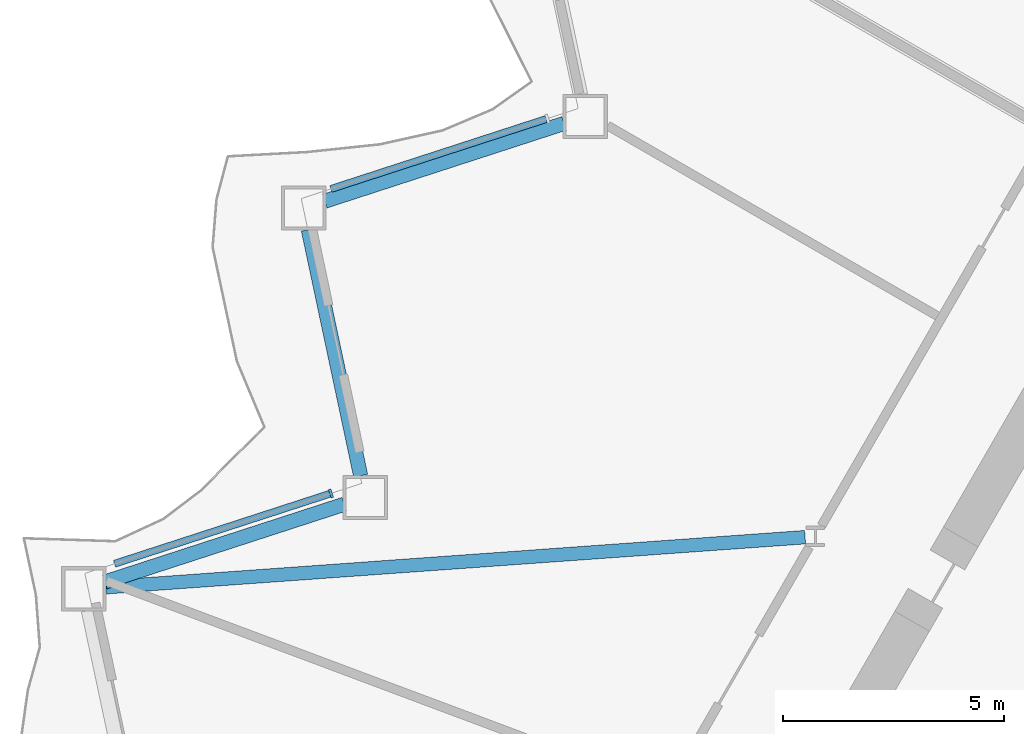
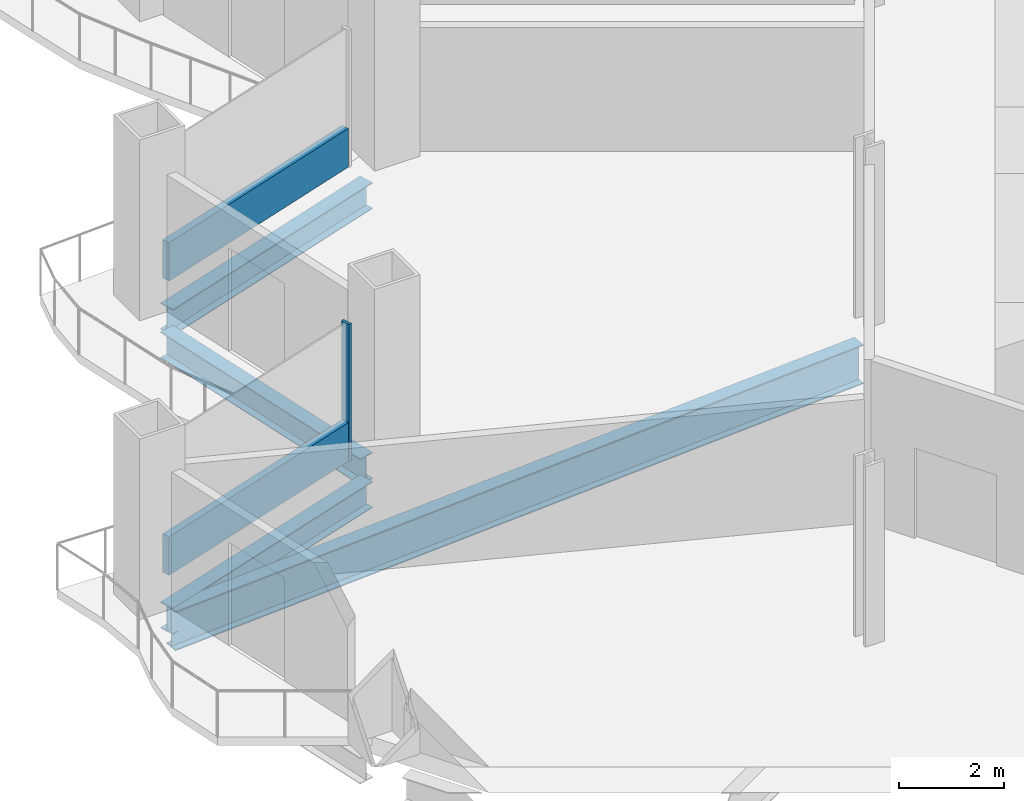
# One storey, part 3 of 20: 4 beams, 3 members, 2 elements without a shape of their own.
"""IFC4 building model written with IfcOpenShell, lengths in metres."""

from ifc_helpers import new_model, si_unit, direction, frame, origin, origin_2d, place, context, subcontext, project, spatial, rectangle, i_section, extrude, material, layer, layer_set, material_profile, profile_set, type_object, element, aggregate, save


model = new_model("IFC4")

# Units and contexts
model_context = context("Model", 3, precision=1e-05, world=origin(), true_north=direction((0.0, 1.0)))
body_context = subcontext(model_context, "Body", "Model", "MODEL_VIEW")
ifc_project = project(units=[si_unit("LENGTHUNIT", "METRE"), si_unit("AREAUNIT", "SQUARE_METRE"), si_unit("VOLUMEUNIT", "CUBIC_METRE"), si_unit("PLANEANGLEUNIT", "RADIAN"), si_unit("MASSUNIT", "GRAM", prefix="KILO")], contexts=[model_context])

# Site, building, storey
site_placement = place(None, origin())
site = spatial("IfcSite", under=ifc_project, at=site_placement, CompositionType="ELEMENT")
building_placement = place(site_placement, origin())
building = spatial("IfcBuilding", under=site, at=building_placement, Name="Cormorant Prow Tower", CompositionType="ELEMENT")
storey_placement = place(building_placement, frame((0.0, 0.0, 55.199951171875)))
storey = spatial("IfcBuildingStorey", under=building, at=storey_placement, Name="L11", CompositionType="ELEMENT", Elevation=55.199951171875)

# Curtain wall, member
ifc_material_1 = material(Name="Aluminium 6063-T6", Category="aluminium")
ifc_layer = layer(ifc_material_1, 0.199951171875)
ifc_layer_set = layer_set([ifc_layer], Name="Aluminium 6063-T6")
curtain_wall_type = type_object("IfcCurtainWallType", Name="Office unitised curtain wall 200", PredefinedType="NOTDEFINED", material=ifc_layer_set)
curtain_wall_1_placement = place(storey_placement, origin())
curtain_wall_1 = element("IfcCurtainWall", 1, at=curtain_wall_1_placement, inside=storey, type_object=curtain_wall_type, Name="Office curtain wall WNW08", PredefinedType="NOTDEFINED")
ifc_material_2 = material(Name="Aluminium 6063-T6", Category="aluminium")
ifc_material_profile_1 = material_profile(ifc_material_2, rectangle(XDim=0.199951171875, YDim=0.06005859375, at=origin_2d()), Name="Office mullion 60x200")
ifc_profile_set_1 = profile_set([ifc_material_profile_1], Name="Aluminium 6063-T6")
member_type_1 = type_object("IfcMemberType", Name="Office mullion 60x200", PredefinedType="MULLION", material=ifc_profile_set_1)
member_1_placement = place(storey_placement, frame((-26.809326171875, -2.082275390625, 0.0), z_axis=(0.0, 0.0, 1.0), x_axis=(0.309016941988, -0.951056533317, 0.0)))
member_1 = element("IfcMember", 2, at=member_1_placement, type_object=member_type_1, Name="Office mullion WNW08", PredefinedType="MULLION", context=body_context, shape_type="SweptSolid", body=[
    extrude(rectangle(XDim=0.199951171875, YDim=0.06005859375, at=origin_2d()), origin(), (0.0, 0.0, 1.0), 3.18896484375),
])

curtain_wall_2_placement = place(storey_placement, origin())
curtain_wall_2 = element("IfcCurtainWall", 3, at=curtain_wall_2_placement, inside=storey, type_object=curtain_wall_type, Name="Office curtain wall WNW06", PredefinedType="NOTDEFINED")
ifc_material_3 = material(Name="Terracotta", Category="masonry")
ifc_material_profile_2 = material_profile(ifc_material_3, rectangle(XDim=0.159912109375, YDim=0.89990234375, at=origin_2d()), Name="Office terracotta spandrel rail 160x900")
ifc_profile_set_2 = profile_set([ifc_material_profile_2], Name="Terracotta")
member_type_2 = type_object("IfcMemberType", Name="Office terracotta spandrel rail 160x900", PredefinedType="USERDEFINED", material=ifc_profile_set_2)
member_2_placement = place(storey_placement, frame((-21.9501953125, 6.374267578125, 0.449951171875), z_axis=(-0.95105863824, -0.309010463625, 0.0), x_axis=(0.309010463625, -0.95105863824, 0.0)))
member_2 = element("IfcMember", 4, at=member_2_placement, type_object=member_type_2, Name="Office spandrel rail WNW06", ObjectType="TRANSOM", PredefinedType="USERDEFINED", context=body_context, shape_type="SweptSolid", body=[
    extrude(rectangle(XDim=0.159912109375, YDim=0.89990234375, at=origin_2d()), origin(), (0.0, 0.0, 1.0), 5.111083984375),
])
aggregate(curtain_wall_2, [member_2])

# Member
member_3_placement = place(storey_placement, frame((-26.837890625, -2.091552734375, 0.449951171875), z_axis=(-0.951049161233, -0.309039630012, 0.0), x_axis=(0.309039630012, -0.951049161233, 0.0)))
member_3 = element("IfcMember", 5, at=member_3_placement, type_object=member_type_2, Name="Office spandrel rail WNW08", ObjectType="TRANSOM", PredefinedType="USERDEFINED", context=body_context, shape_type="SweptSolid", body=[
    extrude(rectangle(XDim=0.159912109375, YDim=0.89990234375, at=origin_2d()), origin(), (0.0, 0.0, 1.0), 5.111328125),
])

aggregate(curtain_wall_1, [member_1, member_3])

# Beams
ifc_material_4 = material(Name="Structural steel ASTM A992 Gr 50", Category="steel")
ifc_material_profile_3 = material_profile(ifc_material_4, i_section(OverallWidth=0.3046875, OverallDepth=0.914794921875, WebThickness=0.0166015625, FlangeThickness=0.02587890625, at=origin_2d()), Name="W36x160")
ifc_profile_set_3 = profile_set([ifc_material_profile_3], Name="Structural steel ASTM A992 Gr 50")
beam_type_1 = type_object("IfcBeamType", Name="Radial floor beam W36x160", PredefinedType="BEAM", material=ifc_profile_set_3)
beam_1_placement = place(storey_placement, frame((-16.099365234375, -3.0703125, -0.857421875), z_axis=(-0.997443412532, -0.071460750045, 0.0), x_axis=(0.071460750045, -0.997443412532, 0.0)))
element("IfcBeam", 6, at=beam_1_placement, inside=storey, type_object=beam_type_1, Name="Radial floor beam FB1 4 L11", PredefinedType="BEAM", context=body_context, shape_type="SweptSolid", body=[
    extrude(i_section(OverallWidth=0.3046875, OverallDepth=0.914794921875, WebThickness=0.0166015625, FlangeThickness=0.02587890625, at=origin_2d()), origin(), (0.0, 0.0, 1.0), 15.831787109375),
])
ifc_material_5 = material(Name="Structural steel ASTM A992 Gr 50", Category="steel")
ifc_material_profile_4 = material_profile(ifc_material_5, i_section(OverallWidth=0.32373046875, OverallDepth=0.611083984375, WebThickness=0.0126953125, FlangeThickness=0.01904296875, at=origin_2d()), Name="W24x104")
ifc_profile_set_4 = profile_set([ifc_material_profile_4], Name="Structural steel ASTM A992 Gr 50")
beam_type_2 = type_object("IfcBeamType", Name="Spandrel beam W24x104", PredefinedType="SPANDREL", material=ifc_profile_set_4)
beam_2_placement = place(storey_placement, frame((-21.54345703125, 6.274658203125, -0.70556640625), z_axis=(-0.951061849722, -0.309000579292, 0.0), x_axis=(0.309000579292, -0.951061849722, 0.0)))
element("IfcBeam", 7, at=beam_2_placement, inside=storey, type_object=beam_type_2, Name="Spandrel beam SB1 WNW06-WNW07 L11", PredefinedType="SPANDREL", context=body_context, shape_type="SweptSolid", body=[
    extrude(i_section(OverallWidth=0.32373046875, OverallDepth=0.611083984375, WebThickness=0.0126953125, FlangeThickness=0.01904296875, at=origin_2d()), origin(), (0.0, 0.0, 1.0), 5.682373046875),
])
beam_3_placement = place(storey_placement, frame((-27.3193359375, 3.875244140625, -0.70556640625), z_axis=(0.207900376723, -0.97815000555, 0.0), x_axis=(0.97815000555, 0.207900376723, 0.0)))
element("IfcBeam", 8, at=beam_3_placement, inside=storey, type_object=beam_type_2, Name="Spandrel beam SB1 WNW07-WNW08 L11", PredefinedType="SPANDREL", context=body_context, shape_type="SweptSolid", body=[
    extrude(i_section(OverallWidth=0.32373046875, OverallDepth=0.611083984375, WebThickness=0.0126953125, FlangeThickness=0.01904296875, at=origin_2d()), origin(), (0.0, 0.0, 1.0), 5.6826171875),
])
beam_4_placement = place(storey_placement, frame((-26.509521484375, -2.32666015625, -0.70556640625), z_axis=(-0.951049222751, -0.309039440696, 0.0), x_axis=(0.309039440696, -0.951049222751, 0.0)))
element("IfcBeam", 9, at=beam_4_placement, inside=storey, type_object=beam_type_2, Name="Spandrel beam SB1 WNW08-WNW09 L11", PredefinedType="SPANDREL", context=body_context, shape_type="SweptSolid", body=[
    extrude(i_section(OverallWidth=0.32373046875, OverallDepth=0.611083984375, WebThickness=0.0126953125, FlangeThickness=0.01904296875, at=origin_2d()), origin(), (0.0, 0.0, 1.0), 5.682373046875),
])

save(model, "model.ifc")
